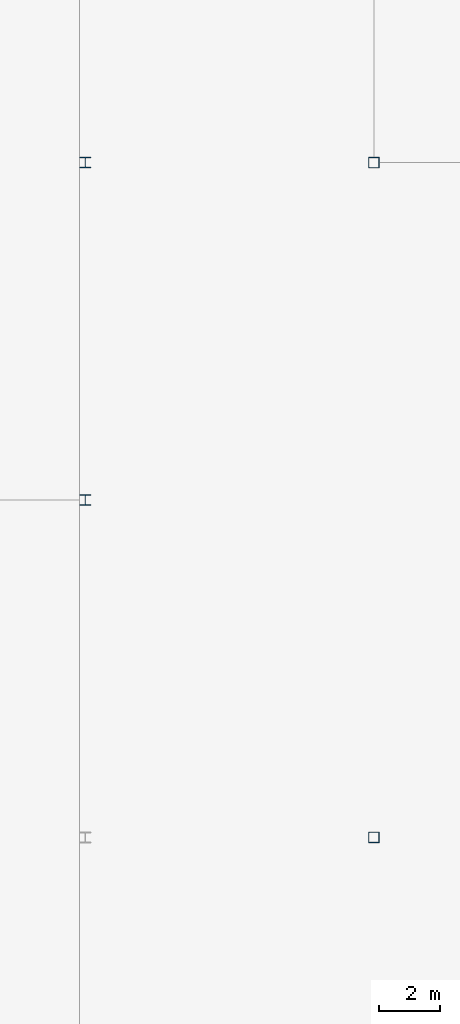
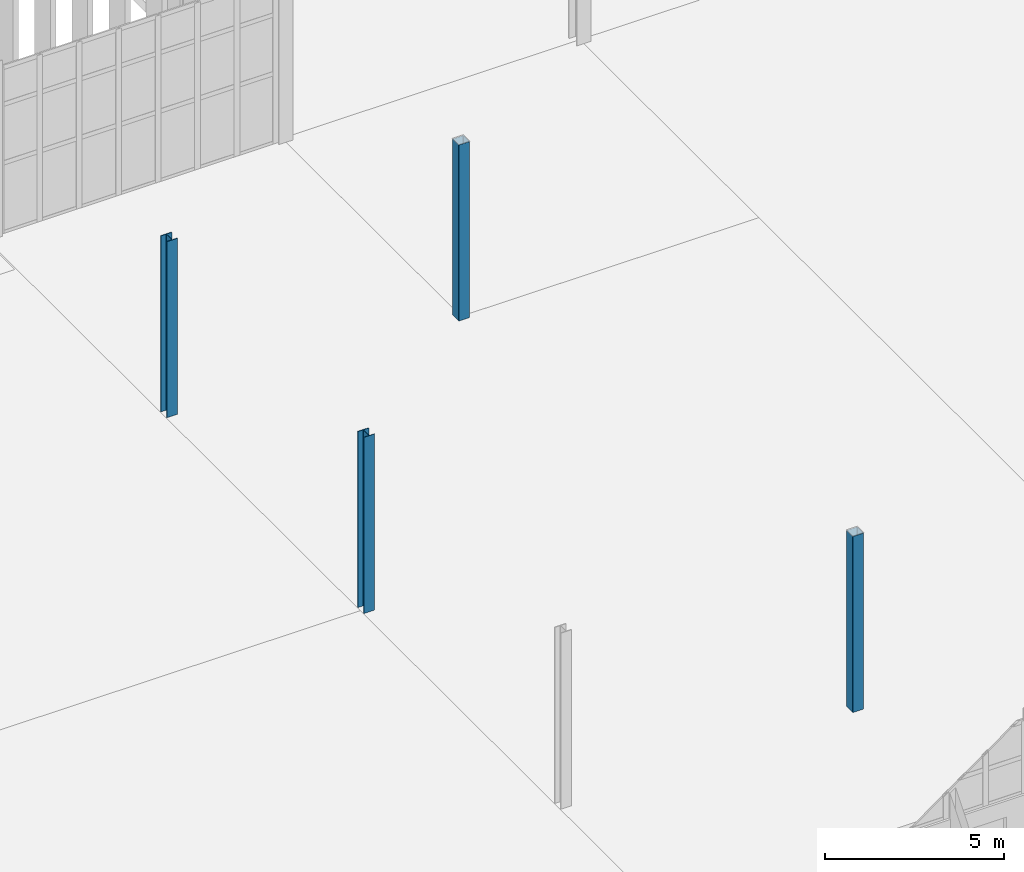
# One storey, part 9 of 139: 4 columns.
"""IFC4 building model written with IfcOpenShell, lengths in metres."""

from ifc_helpers import new_model, si_unit, direction, frame, origin, origin_2d, place, context, subcontext, project, spatial, hollow_rectangle, i_section, extrude, material, material_profile, profile_set, type_object, element, save


model = new_model("IFC4")

# Units and contexts
model_context = context("Model", 3, precision=1e-05, world=origin(), true_north=direction((0.0, 1.0)))
body_context = subcontext(model_context, "Body", "Model", "MODEL_VIEW")
ifc_project = project(units=[si_unit("LENGTHUNIT", "METRE"), si_unit("AREAUNIT", "SQUARE_METRE"), si_unit("VOLUMEUNIT", "CUBIC_METRE"), si_unit("PLANEANGLEUNIT", "RADIAN"), si_unit("MASSUNIT", "GRAM", prefix="KILO")], contexts=[model_context])

# Site, building, storey
site_placement = place(None, origin())
site = spatial("IfcSite", under=ifc_project, at=site_placement, CompositionType="ELEMENT")
building_placement = place(site_placement, origin())
building = spatial("IfcBuilding", under=site, at=building_placement, Name="Yeouljin Market Hall", CompositionType="ELEMENT")
storey_placement = place(building_placement, origin())
storey = spatial("IfcBuildingStorey", under=building, at=storey_placement, Name="L00", CompositionType="ELEMENT", Elevation=0.0)

# Columns
ifc_material_1 = material(Name="Steel SM355", Category="steel")
ifc_material_profile_1 = material_profile(ifc_material_1, i_section(OverallWidth=0.35009765625, OverallDepth=0.35009765625, WebThickness=0.011962890625, FlangeThickness=0.01904296875, FilletRadius=0.02001953125, at=origin_2d()), Name="H-350x350x12x19")
ifc_profile_set_1 = profile_set([ifc_material_profile_1], Name="Steel SM355")
column_type_1 = type_object("IfcColumnType", Name="Col_H-350x350x12x19", PredefinedType="COLUMN", material=ifc_profile_set_1)
for number, where, z_axis, x_axis, name in (
    (1, (35.590087890625, 57.0, 0.0), (0.0, 0.0, 1.0), (1.0, 0.0, 0.0), "Column G-05-06 (L00)"),
    (2, (35.590087890625, 68.0, 0.0), (0.0, 0.0, 1.0), (1.0, 0.0, 0.0), "Column G-05-07 (L00)"),
):
    element("IfcColumn", number, at=place(storey_placement, frame(where, z_axis=z_axis, x_axis=x_axis)), inside=storey, type_object=column_type_1, Name=name, PredefinedType="COLUMN", context=body_context, shape_type="SweptSolid", body=[
        extrude(i_section(OverallWidth=0.35009765625, OverallDepth=0.35009765625, WebThickness=0.011962890625, FlangeThickness=0.01904296875, FilletRadius=0.02001953125, at=origin_2d()), origin(), (0.0, 0.0, 1.0), 6.0),
    ])
ifc_material_2 = material(Name="Steel SM355", Category="steel")
ifc_material_profile_2 = material_profile(ifc_material_2, hollow_rectangle(XDim=0.35009765625, YDim=0.35009765625, WallThickness=0.011962890625, InnerFilletRadius=0.011962890625, OuterFilletRadius=0.01611328125, at=origin_2d()), Name="SHS-350x350x12")
ifc_profile_set_2 = profile_set([ifc_material_profile_2], Name="Steel SM355")
column_type_2 = type_object("IfcColumnType", Name="Col_SHS-350x350x12", PredefinedType="COLUMN", material=ifc_profile_set_2)
for number, where, z_axis, x_axis, name in (
    (3, (45.0, 46.0, 0.0), (0.0, 0.0, 1.0), (1.0, 0.0, 0.0), "Column G-06-05 (L00)"),
    (4, (45.0, 68.0, 0.0), (0.0, 0.0, 1.0), (1.0, 0.0, 0.0), "Column G-06-07 (L00)"),
):
    element("IfcColumn", number, at=place(storey_placement, frame(where, z_axis=z_axis, x_axis=x_axis)), inside=storey, type_object=column_type_2, Name=name, PredefinedType="COLUMN", context=body_context, shape_type="SweptSolid", body=[
        extrude(hollow_rectangle(XDim=0.35009765625, YDim=0.35009765625, WallThickness=0.011962890625, InnerFilletRadius=0.011962890625, OuterFilletRadius=0.01611328125, at=origin_2d()), origin(), (0.0, 0.0, 1.0), 6.0),
    ])

save(model, "model.ifc")
